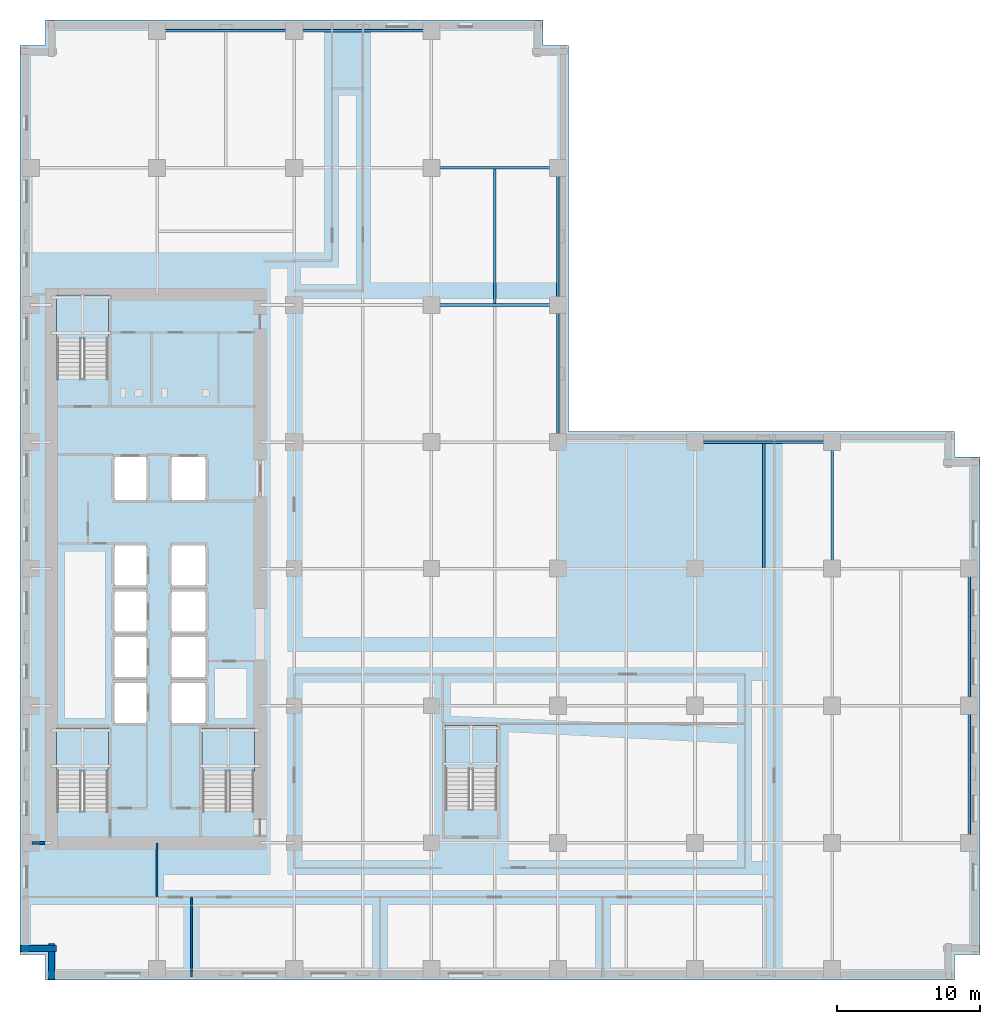
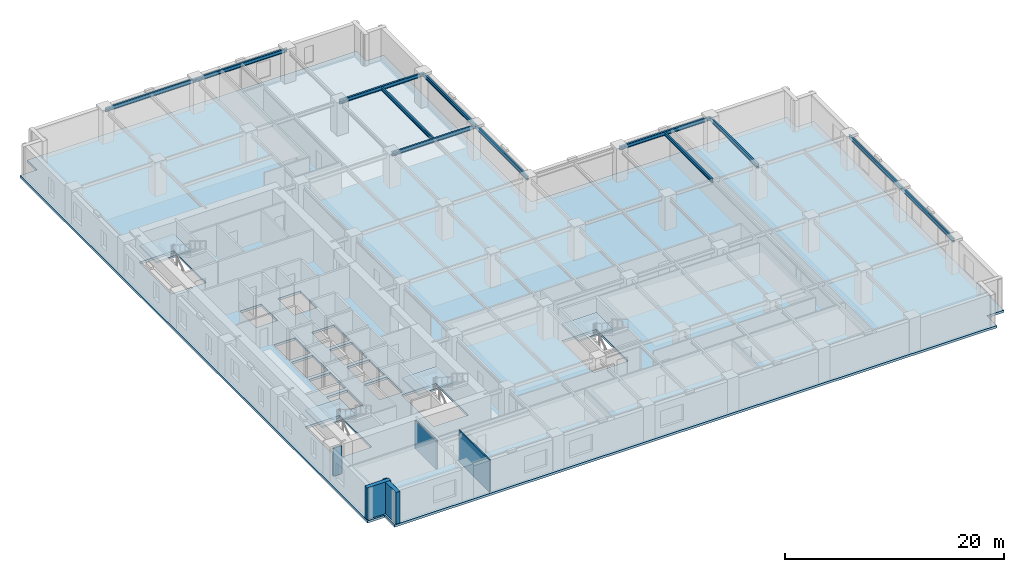
# One storey, part 3 of 13: 12 beams, 5 slabs, 5 walls, 4 elements without a shape of their own.
"""IFC4 building model written with IfcOpenShell, lengths in metres."""

from ifc_helpers import new_model, si_unit, direction, frame, frame_2d, origin, origin_2d, place, context, subcontext, project, spatial, polyline, rectangle, i_section, outline, extrude, material, layer, layer_set, material_profile, profile_set, type_object, element, aggregate, save


model = new_model("IFC4")

# Units and contexts
model_context = context("Model", 3, precision=1e-05, world=origin(), true_north=direction((0.0, 1.0)))
body_context = subcontext(model_context, "Body", "Model", "MODEL_VIEW")
ifc_project = project(units=[si_unit("LENGTHUNIT", "METRE"), si_unit("AREAUNIT", "SQUARE_METRE"), si_unit("VOLUMEUNIT", "CUBIC_METRE"), si_unit("PLANEANGLEUNIT", "RADIAN"), si_unit("MASSUNIT", "GRAM", prefix="KILO")], contexts=[model_context])

# Site, building, storey
site_placement = place(None, origin())
site = spatial("IfcSite", under=ifc_project, at=site_placement, CompositionType="ELEMENT")
building_placement = place(site_placement, origin())
building = spatial("IfcBuilding", under=site, at=building_placement, Name="Norrvale University Quadrangle", CompositionType="ELEMENT")
storey_placement = place(building_placement, frame((0.0, 0.0, 35.60009765625)))
storey = spatial("IfcBuildingStorey", under=building, at=storey_placement, Name="L08", CompositionType="ELEMENT", Elevation=35.60009765625)

# Beams
ifc_material_1 = material(Name="Steel 350W", Category="steel")
ifc_material_profile_1 = material_profile(ifc_material_1, i_section(OverallWidth=0.180908203125, OverallDepth=0.4169921875, WebThickness=0.010986328125, FlangeThickness=0.018310546875, FilletRadius=0.011962890625, at=origin_2d()), Name="Steel 350W")
ifc_profile_set_1 = profile_set([ifc_material_profile_1], Name="Steel 350W")
beam_type_1 = type_object("IfcBeamType", Name="Beam Atrium W410x85", PredefinedType="BEAM", material=ifc_profile_set_1)
beam_1_placement = place(storey_placement, frame((47.25, 37.64990234375, 3.331298828125), z_axis=(1.0, 0.0, 0.0), x_axis=(0.0, 1.0, 0.0)))
element("IfcBeam", 1, at=beam_1_placement, inside=storey, type_object=beam_type_1, Name="Beam Atrium W410x85 BM-L08-GX024", PredefinedType="BEAM", context=body_context, shape_type="SweptSolid", body=[
    extrude(i_section(OverallWidth=0.180908203125, OverallDepth=0.4169921875, WebThickness=0.010986328125, FlangeThickness=0.018310546875, FilletRadius=0.011962890625, at=origin_2d()), origin(), (0.0, 0.0, 1.0), 9.60009765625),
])
for number, where, z_axis, x_axis, name in (
    (2, (28.800048828125, 47.25, 3.331298828125), (1.0, 0.0, 0.0), (0.0, 1.0, 0.0), "Beam Atrium W410x85 BM-L08-GX026"),
    (3, (28.800048828125, 56.85009765625, 3.331298828125), (1.0, 0.0, 0.0), (0.0, 1.0, 0.0), "Beam Atrium W410x85 BM-L08-GX030"),
):
    element("IfcBeam", number, at=place(storey_placement, frame(where, z_axis=z_axis, x_axis=x_axis)), inside=storey, type_object=beam_type_1, Name=name, PredefinedType="BEAM", context=body_context, shape_type="SweptSolid", body=[
        extrude(i_section(OverallWidth=0.180908203125, OverallDepth=0.4169921875, WebThickness=0.010986328125, FlangeThickness=0.018310546875, FilletRadius=0.011962890625, at=origin_2d()), origin(), (0.0, 0.0, 1.0), 8.849853515625),
    ])
beam_2_placement = place(storey_placement, frame((9.60009765625, 66.449951171875, 3.331298828125), z_axis=(1.0, 0.0, 0.0), x_axis=(0.0, 1.0, 0.0)))
element("IfcBeam", 4, at=beam_2_placement, inside=storey, type_object=beam_type_1, Name="Beam Atrium W410x85 BM-L08-GX031", PredefinedType="BEAM", context=body_context, shape_type="SweptSolid", body=[
    extrude(i_section(OverallWidth=0.180908203125, OverallDepth=0.4169921875, WebThickness=0.010986328125, FlangeThickness=0.018310546875, FilletRadius=0.011962890625, at=origin_2d()), origin(), (0.0, 0.0, 1.0), 9.599853515625),
])
for number, where, z_axis, x_axis, name in (
    (5, (19.199951171875, 66.449951171875, 3.331298828125), (1.0, 0.0, 0.0), (0.0, 1.0, 0.0), "Beam Atrium W410x85 BM-L08-GX032"),
    (6, (37.64990234375, 37.64990234375, 3.331298828125), (0.0, 1.0, 0.0), (-1.0, 0.0, 0.0), "Beam Atrium W410x85 BM-L08-GY057"),
    (7, (37.64990234375, 47.25, 3.331298828125), (0.0, 1.0, 0.0), (-1.0, 0.0, 0.0), "Beam Atrium W410x85 BM-L08-GY058"),
):
    element("IfcBeam", number, at=place(storey_placement, frame(where, z_axis=z_axis, x_axis=x_axis)), inside=storey, type_object=beam_type_1, Name=name, PredefinedType="BEAM", context=body_context, shape_type="SweptSolid", body=[
        extrude(i_section(OverallWidth=0.180908203125, OverallDepth=0.4169921875, WebThickness=0.010986328125, FlangeThickness=0.018310546875, FilletRadius=0.011962890625, at=origin_2d()), origin(), (0.0, 0.0, 1.0), 9.60009765625),
    ])
beam_3_placement = place(storey_placement, frame((56.85009765625, 28.800048828125, 3.331298828125), z_axis=(0.0, 1.0, 0.0), x_axis=(-1.0, 0.0, 0.0)))
element("IfcBeam", 8, at=beam_3_placement, inside=storey, type_object=beam_type_1, Name="Beam Atrium W410x85 BM-L08-GY066", PredefinedType="BEAM", context=body_context, shape_type="SweptSolid", body=[
    extrude(i_section(OverallWidth=0.180908203125, OverallDepth=0.4169921875, WebThickness=0.010986328125, FlangeThickness=0.018310546875, FilletRadius=0.011962890625, at=origin_2d()), origin(), (0.0, 0.0, 1.0), 8.849853515625),
])
beam_4_placement = place(storey_placement, frame((66.449951171875, 9.60009765625, 3.331298828125), z_axis=(0.0, 1.0, 0.0), x_axis=(-1.0, 0.0, 0.0)))
element("IfcBeam", 9, at=beam_4_placement, inside=storey, type_object=beam_type_1, Name="Beam Atrium W410x85 BM-L08-GY067", PredefinedType="BEAM", context=body_context, shape_type="SweptSolid", body=[
    extrude(i_section(OverallWidth=0.180908203125, OverallDepth=0.4169921875, WebThickness=0.010986328125, FlangeThickness=0.018310546875, FilletRadius=0.011962890625, at=origin_2d()), origin(), (0.0, 0.0, 1.0), 9.599853515625),
])
beam_5_placement = place(storey_placement, frame((66.449951171875, 19.199951171875, 3.331298828125), z_axis=(0.0, 1.0, 0.0), x_axis=(-1.0, 0.0, 0.0)))
element("IfcBeam", 10, at=beam_5_placement, inside=storey, type_object=beam_type_1, Name="Beam Atrium W410x85 BM-L08-GY068", PredefinedType="BEAM", context=body_context, shape_type="SweptSolid", body=[
    extrude(i_section(OverallWidth=0.180908203125, OverallDepth=0.4169921875, WebThickness=0.010986328125, FlangeThickness=0.018310546875, FilletRadius=0.011962890625, at=origin_2d()), origin(), (0.0, 0.0, 1.0), 9.60009765625),
])
ifc_material_profile_2 = material_profile(ifc_material_1, i_section(OverallWidth=0.177978515625, OverallDepth=0.406982421875, WebThickness=0.0078125, FlangeThickness=0.0126953125, FilletRadius=0.011962890625, at=origin_2d()), Name="Steel 350W")
ifc_profile_set_2 = profile_set([ifc_material_profile_2], Name="Steel 350W")
beam_type_2 = type_object("IfcBeamType", Name="Beam Roof Purlin W410x60", PredefinedType="USERDEFINED", material=ifc_profile_set_2)
beam_6_placement = place(storey_placement, frame((33.22509765625, 47.340576171875, 3.33642578125), z_axis=(0.0, 1.0, 0.0), x_axis=(-1.0, 0.0, 0.0)))
element("IfcBeam", 11, at=beam_6_placement, inside=storey, type_object=beam_type_2, Name="Beam Roof Purlin W410x60 BM-L08-J091", ObjectType="PURLIN", PredefinedType="USERDEFINED", context=body_context, shape_type="SweptSolid", body=[
    extrude(i_section(OverallWidth=0.177978515625, OverallDepth=0.406982421875, WebThickness=0.0078125, FlangeThickness=0.0126953125, FilletRadius=0.011962890625, at=origin_2d()), origin(), (0.0, 0.0, 1.0), 9.4189453125),
])
beam_7_placement = place(storey_placement, frame((52.050048828125, 28.890380859375, 3.33642578125), z_axis=(0.0, 1.0, 0.0), x_axis=(-1.0, 0.0, 0.0)))
element("IfcBeam", 12, at=beam_7_placement, inside=storey, type_object=beam_type_2, Name="Beam Roof Purlin W410x60 BM-L08-J099", ObjectType="PURLIN", PredefinedType="USERDEFINED", context=body_context, shape_type="SweptSolid", body=[
    extrude(i_section(OverallWidth=0.177978515625, OverallDepth=0.406982421875, WebThickness=0.0078125, FlangeThickness=0.0126953125, FilletRadius=0.011962890625, at=origin_2d()), origin(), (0.0, 0.0, 1.0), 8.669189453125),
])

# Stair, slab
ifc_material_2 = material(Name="Concrete C40/50", Category="concrete")
stair_type = type_object("IfcStairType", Name="Stair Tower Typ 3800", PredefinedType="TWO_STRAIGHT_RUN_STAIR", material=ifc_material_2)
stair_1_placement = place(storey_placement, origin())
stair_1 = element("IfcStair", 13, at=stair_1_placement, inside=storey, type_object=stair_type, Name="Exit Stair ST-01 L08", PredefinedType="TWO_STRAIGHT_RUN_STAIR")
ifc_layer_1 = layer(ifc_material_2, 0.199951171875, Name="Concrete C40/50")
ifc_layer_set_1 = layer_set([ifc_layer_1], Name="Concrete C40/50")
slab_type_1 = type_object("IfcSlabType", Name="Slab Landing 200", PredefinedType="LANDING", material=ifc_layer_set_1)
slab_1_placement = place(storey_placement, frame((0.0, 0.0, 1.699951171875)))
slab_1 = element("IfcSlab", 14, at=slab_1_placement, type_object=slab_type_1, Name="Exit Stair ST-01 L08 Mid Landing", PredefinedType="LANDING", context=body_context, shape_type="SweptSolid", body=[
    extrude(outline(polyline([(2.550048828125, 14.590087890625), (6.199951171875, 14.590087890625), (6.199951171875, 17.64990234375), (2.550048828125, 17.64990234375), (2.550048828125, 14.590087890625)])), origin(), (0.0, 0.0, 1.0), 0.199951171875),
])
aggregate(stair_1, [slab_1])

stair_2_placement = place(storey_placement, origin())
stair_2 = element("IfcStair", 15, at=stair_2_placement, inside=storey, type_object=stair_type, Name="Exit Stair ST-02 L08", PredefinedType="TWO_STRAIGHT_RUN_STAIR")
slab_2_placement = place(storey_placement, frame((0.0, 0.0, 1.699951171875)))
slab_2 = element("IfcSlab", 16, at=slab_2_placement, type_object=slab_type_1, Name="Exit Stair ST-02 L08 Mid Landing", PredefinedType="LANDING", context=body_context, shape_type="SweptSolid", body=[
    extrude(outline(polyline([(2.550048828125, 44.889892578125), (6.199951171875, 44.889892578125), (6.199951171875, 47.949951171875), (2.550048828125, 47.949951171875), (2.550048828125, 44.889892578125)])), origin(), (0.0, 0.0, 1.0), 0.199951171875),
])
aggregate(stair_2, [slab_2])

stair_3_placement = place(storey_placement, origin())
stair_3 = element("IfcStair", 17, at=stair_3_placement, inside=storey, type_object=stair_type, Name="Exit Stair ST-03 L08", PredefinedType="TWO_STRAIGHT_RUN_STAIR")
slab_3_placement = place(storey_placement, frame((0.0, 0.0, 1.699951171875)))
slab_3 = element("IfcSlab", 18, at=slab_3_placement, type_object=slab_type_1, Name="Exit Stair ST-03 L08 Mid Landing", PredefinedType="LANDING", context=body_context, shape_type="SweptSolid", body=[
    extrude(outline(polyline([(12.75, 14.590087890625), (16.39990234375, 14.590087890625), (16.39990234375, 17.64990234375), (12.75, 17.64990234375), (12.75, 14.590087890625)])), origin(), (0.0, 0.0, 1.0), 0.199951171875),
])
aggregate(stair_3, [slab_3])

stair_4_placement = place(storey_placement, origin())
stair_4 = element("IfcStair", 19, at=stair_4_placement, inside=storey, type_object=stair_type, Name="Exit Stair ST-04 L08", PredefinedType="TWO_STRAIGHT_RUN_STAIR")
slab_4_placement = place(storey_placement, frame((0.0, 0.0, 1.699951171875)))
slab_4 = element("IfcSlab", 20, at=slab_4_placement, type_object=slab_type_1, Name="Exit Stair ST-04 L08 Mid Landing", PredefinedType="LANDING", context=body_context, shape_type="SweptSolid", body=[
    extrude(outline(polyline([(29.75, 14.739990234375), (33.39990234375, 14.739990234375), (33.39990234375, 17.800048828125), (29.75, 17.800048828125), (29.75, 14.739990234375)])), origin(), (0.0, 0.0, 1.0), 0.199951171875),
])
aggregate(stair_4, [slab_4])

# Slab
ifc_layer_2 = layer(ifc_material_2, 0.260009765625, Name="Concrete C40/50")
ifc_layer_set_2 = layer_set([ifc_layer_2], Name="Concrete C40/50")
slab_type_2 = type_object("IfcSlabType", Name="Slab Tower Typ 260", PredefinedType="FLOOR", material=ifc_layer_set_2)
slab_5_placement = place(storey_placement, frame((0.0, 0.0, -0.260009765625)))
element("IfcSlab", 21, at=slab_5_placement, inside=storey, type_object=slab_type_2, Name="Tower L08 Floor Slab", PredefinedType="FLOOR", context=body_context, shape_type="SweptSolid", body=[
    extrude(outline(polyline([(1.800048828125, 0.0), (65.39990234375, 0.0), (65.39990234375, 1.800048828125), (67.199951171875, 1.800048828125), (67.199951171875, 36.60009765625), (65.39990234375, 36.60009765625), (65.39990234375, 38.39990234375), (38.39990234375, 38.39990234375), (38.39990234375, 65.39990234375), (36.60009765625, 65.39990234375), (36.60009765625, 67.199951171875), (1.800048828125, 67.199951171875), (1.800048828125, 65.39990234375), (0.0, 65.39990234375), (0.0, 1.800048828125), (1.800048828125, 1.800048828125), (1.800048828125, 0.0)]), holes=[polyline([(2.550048828125, 11.81005859375), (6.199951171875, 11.81005859375), (6.199951171875, 17.64990234375), (2.550048828125, 17.64990234375), (2.550048828125, 11.81005859375)]), polyline([(2.550048828125, 42.110107421875), (6.199951171875, 42.110107421875), (6.199951171875, 47.949951171875), (2.550048828125, 47.949951171875), (2.550048828125, 42.110107421875)]), polyline([(12.75, 11.81005859375), (16.39990234375, 11.81005859375), (16.39990234375, 17.64990234375), (12.75, 17.64990234375), (12.75, 11.81005859375)]), polyline([(29.75, 11.9599609375), (33.39990234375, 11.9599609375), (33.39990234375, 17.800048828125), (29.75, 17.800048828125), (29.75, 11.9599609375)]), polyline([(6.60009765625, 18.0), (8.85009765625, 18.0), (8.85009765625, 20.800048828125), (6.60009765625, 20.800048828125), (6.60009765625, 18.0)]), polyline([(6.60009765625, 21.199951171875), (8.85009765625, 21.199951171875), (8.85009765625, 24.0), (6.60009765625, 24.0), (6.60009765625, 21.199951171875)]), polyline([(6.60009765625, 24.39990234375), (8.85009765625, 24.39990234375), (8.85009765625, 27.199951171875), (6.60009765625, 27.199951171875), (6.60009765625, 24.39990234375)]), polyline([(6.60009765625, 27.60009765625), (8.85009765625, 27.60009765625), (8.85009765625, 30.39990234375), (6.60009765625, 30.39990234375), (6.60009765625, 27.60009765625)]), polyline([(10.60009765625, 18.0), (13.0, 18.0), (13.0, 20.800048828125), (10.60009765625, 20.800048828125), (10.60009765625, 18.0)]), polyline([(10.60009765625, 21.199951171875), (13.0, 21.199951171875), (13.0, 24.0), (10.60009765625, 24.0), (10.60009765625, 21.199951171875)]), polyline([(10.60009765625, 24.39990234375), (13.0, 24.39990234375), (13.0, 27.199951171875), (10.60009765625, 27.199951171875), (10.60009765625, 24.39990234375)]), polyline([(10.60009765625, 27.60009765625), (13.0, 27.60009765625), (13.0, 30.39990234375), (10.60009765625, 30.39990234375), (10.60009765625, 27.60009765625)]), polyline([(6.60009765625, 33.60009765625), (8.85009765625, 33.60009765625), (8.85009765625, 36.60009765625), (6.60009765625, 36.60009765625), (6.60009765625, 33.60009765625)]), polyline([(10.60009765625, 33.60009765625), (13.0, 33.60009765625), (13.0, 36.60009765625), (10.60009765625, 36.60009765625), (10.60009765625, 33.60009765625)])]), origin(), (0.0, 0.0, 1.0), 0.260009765625),
])

# Walls
ifc_material_3 = material(Name="Buff Norman Clay Brick Masonry", Category="masonry")
ifc_layer_3 = layer(ifc_material_3, 0.419921875, Name="Buff Norman Clay Brick Masonry")
ifc_layer_set_3 = layer_set([ifc_layer_3], Name="Buff Norman Clay Brick Masonry")
wall_type_1 = type_object("IfcWallType", Name="Wall Buff Brick 420", PredefinedType="SOLIDWALL", material=ifc_layer_set_3)
for number, where, z_axis, x_axis, name in (
    (22, (0.0400390625, 2.18994140625, 0.0), (0.0, 0.0, 1.0), (1.0, 0.0, 0.0), "Exterior Brick Facade Wall L08-15.1"),
    (23, (2.18994140625, 2.5400390625, 0.0), (0.0, 0.0, 1.0), (0.0, -1.0, 0.0), "Exterior Brick Facade Wall L08-16.1"),
):
    element("IfcWall", number, at=place(storey_placement, frame(where, z_axis=z_axis, x_axis=x_axis)), inside=storey, type_object=wall_type_1, Name=name, PredefinedType="SOLIDWALL", context=body_context, shape_type="SweptSolid", body=[
        extrude(rectangle(XDim=2.5, YDim=0.419921875, at=frame_2d((1.25, 0.0))), origin(), (0.0, 0.0, 1.0), 3.539794921875),
    ])
ifc_material_4 = material(Name="Standard Academic Gypsum Partition")
ifc_layer_4 = layer(ifc_material_4, 0.125, Name="Standard Academic Gypsum Partition")
ifc_layer_set_4 = layer_set([ifc_layer_4], Name="Standard Academic Gypsum Partition")
wall_type_2 = type_object("IfcWallType", Name="Wall Gypsum Academic 125", PredefinedType="PARTITIONING", material=ifc_layer_set_4)
wall_1_placement = place(storey_placement, frame((12.0, 0.219970703125, 0.0), z_axis=(0.0, 0.0, 1.0), x_axis=(0.0, 1.0, 0.0)))
element("IfcWall", 24, at=wall_1_placement, inside=storey, type_object=wall_type_2, Name="Interior Partition WL-L08-SP01", PredefinedType="PARTITIONING", context=body_context, shape_type="SweptSolid", body=[
    extrude(rectangle(XDim=5.580078125, YDim=0.125, at=frame_2d((2.7900390625, 0.0))), origin(), (0.0, 0.0, 1.0), 3.539794921875),
])
ifc_material_5 = material(Name="Fire-Rated Gypsum Stud Partition")
ifc_layer_5 = layer(ifc_material_5, 0.14990234375, Name="Fire-Rated Gypsum Stud Partition")
ifc_layer_set_5 = layer_set([ifc_layer_5], Name="Fire-Rated Gypsum Stud Partition")
wall_type_3 = type_object("IfcWallType", Name="Wall Gypsum Corridor 150", PredefinedType="PARTITIONING", material=ifc_layer_set_5)
wall_2_placement = place(storey_placement, frame((9.60009765625, 5.800048828125, 0.0), z_axis=(0.0, 0.0, 1.0), x_axis=(0.0, 1.0, 0.0)))
element("IfcWall", 25, at=wall_2_placement, inside=storey, type_object=wall_type_3, Name="Interior Partition WL-L08-CSW-END", PredefinedType="PARTITIONING", context=body_context, shape_type="SweptSolid", body=[
    extrude(rectangle(XDim=3.800048828125, YDim=0.14990234375, at=frame_2d((1.89990234375, 0.0))), origin(), (0.0, 0.0, 1.0), 3.122802734375),
])
ifc_material_6 = material(Name="Concrete Blockwork 20 MPa Rated Wall", Category="masonry")
ifc_layer_6 = layer(ifc_material_6, 0.199951171875, Name="Concrete Blockwork 20 MPa Rated Wall")
ifc_layer_set_6 = layer_set([ifc_layer_6], Name="Concrete Blockwork 20 MPa Rated Wall")
wall_type_4 = type_object("IfcWallType", Name="Wall Lobby 200", PredefinedType="SOLIDWALL", material=ifc_layer_set_6)
wall_3_placement = place(storey_placement, frame((0.85009765625, 9.60009765625, 0.0), z_axis=(0.0, 0.0, 1.0), x_axis=(1.0, 0.0, 0.0)))
element("IfcWall", 26, at=wall_3_placement, inside=storey, type_object=wall_type_4, Name="Interior Partition WL-L08-CWRET-S", PredefinedType="SOLIDWALL", context=body_context, shape_type="SweptSolid", body=[
    extrude(rectangle(XDim=0.89501953125, YDim=0.199951171875, at=frame_2d((0.447509765625, 0.0))), origin(), (0.0, 0.0, 1.0), 3.122802734375),
])

save(model, "model.ifc")
